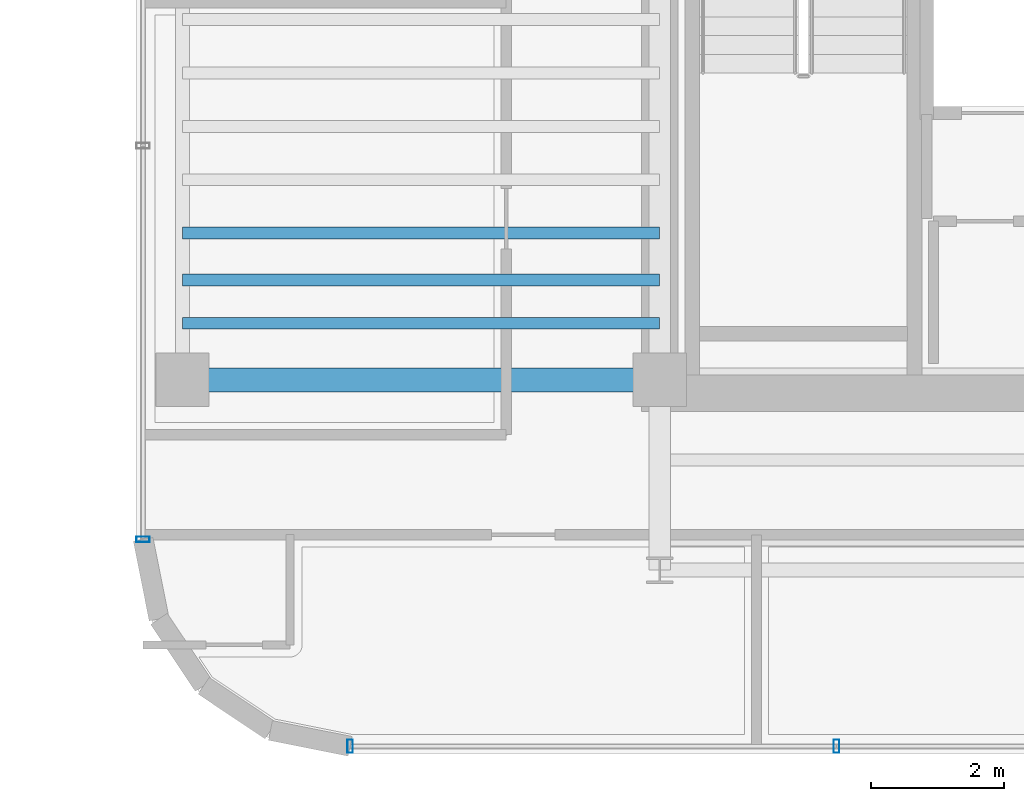
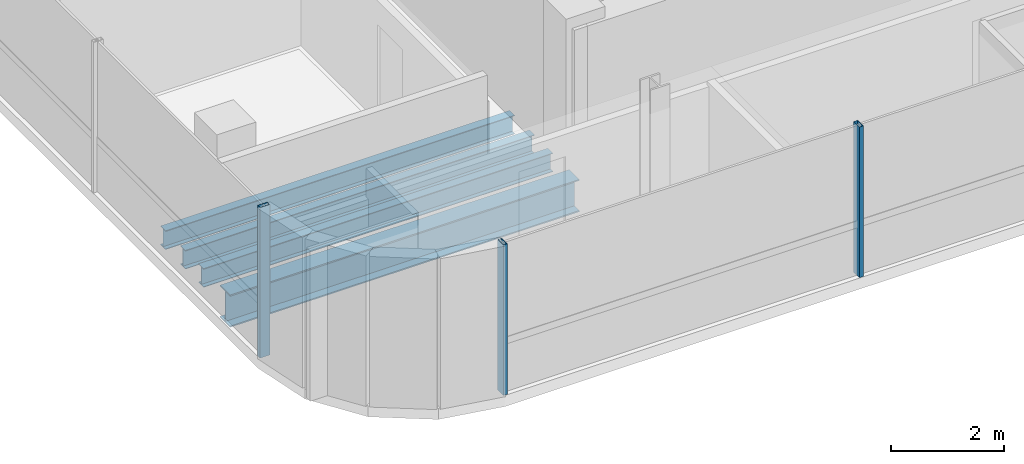
# One storey, part 2 of 21: 4 beams, 3 members, 2 elements without a shape of their own.
"""IFC4 building model written with IfcOpenShell, lengths in metres."""

from ifc_helpers import new_model, si_unit, direction, frame, origin, origin_2d, place, context, subcontext, project, spatial, hollow_rectangle, i_section, extrude, source, transform, mapped, material, material_profile, profile_set, type_object, element, aggregate, save


model = new_model("IFC4")

# Units and contexts
model_context = context("Model", 3, precision=1e-05, world=origin(), true_north=direction((0.0, 1.0)))
body_context = subcontext(model_context, "Body", "Model", "MODEL_VIEW")
ifc_project = project(units=[si_unit("LENGTHUNIT", "METRE"), si_unit("AREAUNIT", "SQUARE_METRE"), si_unit("VOLUMEUNIT", "CUBIC_METRE"), si_unit("PLANEANGLEUNIT", "RADIAN"), si_unit("MASSUNIT", "GRAM", prefix="KILO")], contexts=[model_context])

# Site, building, storey
site_placement = place(None, origin())
site = spatial("IfcSite", under=ifc_project, at=site_placement, CompositionType="ELEMENT")
building_placement = place(site_placement, origin())
building = spatial("IfcBuilding", under=site, at=building_placement, Name="Valdorenza Pilgrim Sanctuary Tower", CompositionType="ELEMENT")
storey_placement = place(building_placement, frame((0.0, 0.0, 258.0)))
storey = spatial("IfcBuildingStorey", under=building, at=storey_placement, Name="L67", CompositionType="ELEMENT", Elevation=258.0)

# Beams
ifc_material_1 = material(Name="Steel ASTM A992 Grade 50", Category="steel")
ifc_material_profile_1 = material_profile(ifc_material_1, i_section(OverallWidth=0.35595703125, OverallDepth=0.700927734375, WebThickness=0.016845703125, FlangeThickness=0.02734375, at=origin_2d()), Name="W27X161")
ifc_profile_set_1 = profile_set([ifc_material_profile_1], Name="Steel ASTM A992 Grade 50")
beam_type_1 = type_object("IfcBeamType", Name="STR-BM-GRD-W27", PredefinedType="BEAM", material=ifc_profile_set_1)
shared_shape_1 = source(origin(), body_context, "Body", "SweptSolid", [
    extrude(i_section(OverallWidth=0.35595703125, OverallDepth=0.700927734375, WebThickness=0.016845703125, FlangeThickness=0.02734375, at=origin_2d()), origin(), (0.0, 0.0, 1.0), 7.150146484375),
])
beam_placement = place(storey_placement, frame((-29.800048828125, -10.60009765625, -0.590576171875), z_axis=(1.0, 0.0, 0.0), x_axis=(0.0, 1.0, 0.0)))
element("IfcBeam", 1, at=beam_placement, inside=storey, type_object=beam_type_1, Name="L67 Floor Girder WA-XW-S1", PredefinedType="BEAM", context=body_context, shape_type="MappedRepresentation", body=[
    mapped(shared_shape_1, transform((0.0, 0.0, 0.0), x_axis=(1.0, 0.0, 0.0), y_axis=(0.0, 1.0, 0.0), z_axis=(0.0, 0.0, 1.0), scale=1.0)),
])
ifc_material_profile_2 = material_profile(ifc_material_1, i_section(OverallWidth=0.177978515625, OverallDepth=0.406005859375, WebThickness=0.0078125, FlangeThickness=0.0126953125, at=origin_2d()), Name="W16X40")
ifc_profile_set_2 = profile_set([ifc_material_profile_2], Name="Steel ASTM A992 Grade 50")
beam_type_2 = type_object("IfcBeamType", Name="STR-BM-JST-W16", PredefinedType="JOIST", material=ifc_profile_set_2)
shared_shape_2 = source(origin(), body_context, "Body", "SweptSolid", [
    extrude(i_section(OverallWidth=0.177978515625, OverallDepth=0.406005859375, WebThickness=0.0078125, FlangeThickness=0.0126953125, at=origin_2d()), origin(), (0.0, 0.0, 1.0), 7.150146484375),
])
for number, where, z_axis, x_axis, name in (
    (2, (-29.800048828125, -9.75, -0.443115234375), (1.0, 0.0, 0.0), (0.0, 1.0, 0.0), "L67 Composite Floor Joist JST-WA-1"),
    (3, (-29.800048828125, -9.10009765625, -0.443115234375), (1.0, 0.0, 0.0), (0.0, 1.0, 0.0), "L67 Composite Floor Joist JST-WA-2"),
    (4, (-29.800048828125, -8.39990234375, -0.443115234375), (1.0, 0.0, 0.0), (0.0, 1.0, 0.0), "L67 Composite Floor Joist JST-WA-3"),
):
    element("IfcBeam", number, at=place(storey_placement, frame(where, z_axis=z_axis, x_axis=x_axis)), inside=storey, type_object=beam_type_2, Name=name, PredefinedType="JOIST", context=body_context, shape_type="MappedRepresentation", body=[
        mapped(shared_shape_2, transform((0.0, 0.0, 0.0), x_axis=(1.0, 0.0, 0.0), y_axis=(0.0, 1.0, 0.0), z_axis=(0.0, 0.0, 1.0), scale=1.0)),
    ])

# Curtain wall, member
ifc_material_2 = material(Name="Curtain-wall IGU glazing", Category="glass")
curtain_wall_type = type_object("IfcCurtainWallType", Name="CW-SYS-02", PredefinedType="NOTDEFINED", material=ifc_material_2)
curtain_wall_1_placement = place(storey_placement, origin())
curtain_wall_1 = element("IfcCurtainWall", 5, at=curtain_wall_1_placement, inside=storey, type_object=curtain_wall_type, Name="L67 Curtain Wall CW-L67-1-1S1", PredefinedType="NOTDEFINED")
ifc_material_3 = material(Name="Anodised aluminium AW-6060", Category="aluminium")
ifc_material_profile_3 = material_profile(ifc_material_3, hollow_rectangle(XDim=0.0849609375, YDim=0.199951171875, WallThickness=0.0048828125, at=origin_2d()), Name="ALU-M 200x85x5")
ifc_profile_set_3 = profile_set([ifc_material_profile_3], Name="Anodised aluminium AW-6060")
member_type = type_object("IfcMemberType", Name="CW-MUL-02", PredefinedType="MULLION", material=ifc_profile_set_3)
shared_shape_3 = source(origin(), body_context, "Body", "SweptSolid", [
    extrude(hollow_rectangle(XDim=0.0849609375, YDim=0.199951171875, WallThickness=0.0048828125, at=origin_2d()), origin(), (0.0, 0.0, 1.0), 3.260009765625),
])
member_1_placement = place(storey_placement, frame((-30.389892578125, -12.9892578125, 0.0), z_axis=(0.0, 0.0, 1.0), x_axis=(0.0, 1.0, 0.0)))
member_1 = element("IfcMember", 6, at=member_1_placement, type_object=member_type, Name="CW-L67-1-1S1 Mullion 1", PredefinedType="MULLION", context=body_context, shape_type="MappedRepresentation", body=[
    mapped(shared_shape_3, transform((0.0, 0.0, 0.0), x_axis=(1.0, 0.0, 0.0), y_axis=(0.0, 1.0, 0.0), z_axis=(0.0, 0.0, 1.0), scale=1.0)),
])
aggregate(curtain_wall_1, [member_1])

# Curtain wall, members
curtain_wall_2_placement = place(storey_placement, origin())
curtain_wall_2 = element("IfcCurtainWall", 7, at=curtain_wall_2_placement, inside=storey, type_object=curtain_wall_type, Name="L67 Curtain Wall CW-L67-1-26", PredefinedType="NOTDEFINED")
member_2_placement = place(storey_placement, frame((-20.0, -16.090087890625, 0.0), z_axis=(0.0, 0.0, 1.0), x_axis=(-1.0, 0.0, 0.0)))
member_2 = element("IfcMember", 8, at=member_2_placement, type_object=member_type, Name="CW-L67-1-26 Mullion 2", PredefinedType="MULLION", context=body_context, shape_type="MappedRepresentation", body=[
    mapped(shared_shape_3, transform((0.0, 0.0, 0.0), x_axis=(1.0, 0.0, 0.0), y_axis=(0.0, 1.0, 0.0), z_axis=(0.0, 0.0, 1.0), scale=1.0)),
])
member_3_placement = place(storey_placement, frame((-27.289306640625, -16.090087890625, 0.0), z_axis=(0.0, 0.0, 1.0), x_axis=(-1.0, 0.0, 0.0)))
member_3 = element("IfcMember", 9, at=member_3_placement, type_object=member_type, Name="CW-L67-1-26 Mullion 3", PredefinedType="MULLION", context=body_context, shape_type="MappedRepresentation", body=[
    mapped(shared_shape_3, transform((0.0, 0.0, 0.0), x_axis=(1.0, 0.0, 0.0), y_axis=(0.0, 1.0, 0.0), z_axis=(0.0, 0.0, 1.0), scale=1.0)),
])
aggregate(curtain_wall_2, [member_2, member_3])

save(model, "model.ifc")
